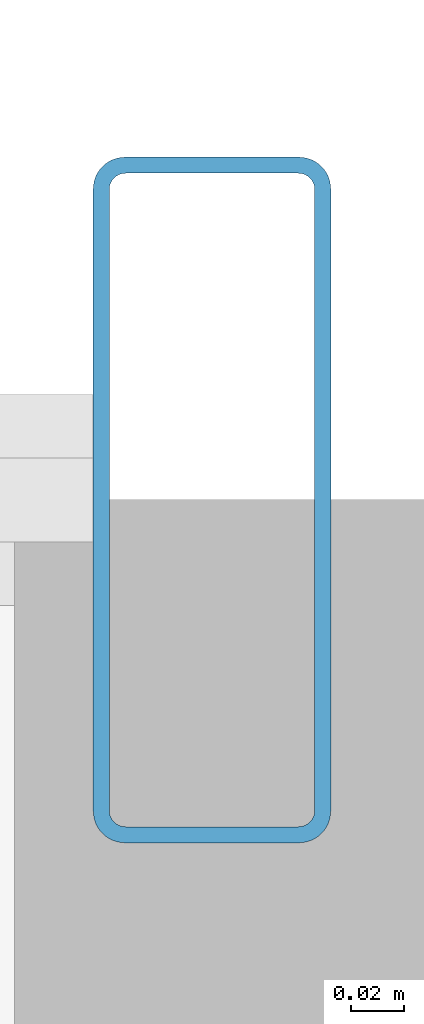
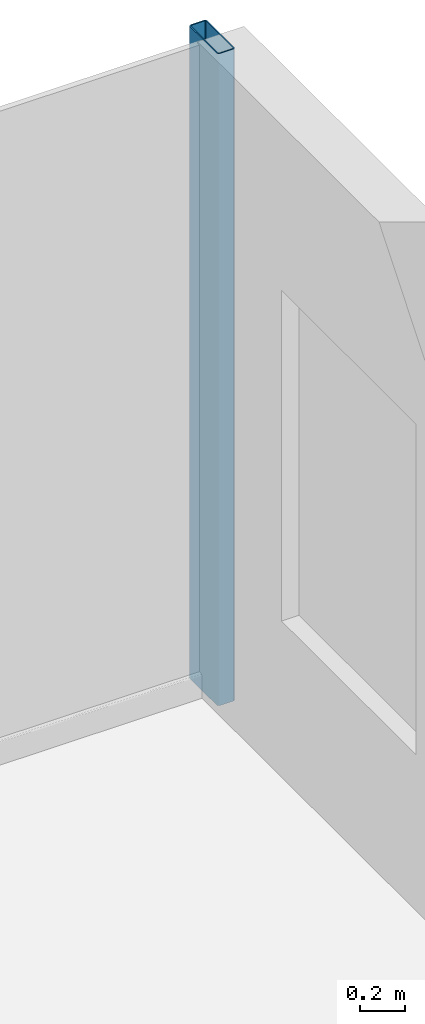
# One storey, part 17 of 29: 1 member, 1 element without a shape of its own.
"""IFC4 building model written with IfcOpenShell, lengths in metres."""

import ifcopenshell
import ifcopenshell.guid

model = None  # the IFC model being written
_history = None  # IfcOwnerHistory: only IFC2X3 demands one
_inside = {}  # id of a spatial element -> (the spatial element, [elements in it])
_under = {}  # id of a project, library or spatial element -> (it, [spatial elements below it])
_declared = {}  # id of a project -> (the project, [libraries it declares])
_typed = {}  # id of a type object -> (the type object, [elements of that type])
_made_of = {}  # id of a material, layer set ... -> (it, [elements and type objects made of it])


def new_model(schema):
    """Start an empty IFC model of exactly this schema.

    Asked for "IFC4X3", IfcOpenShell would pick the latest addendum, in which some entities
    have other attributes; the version numbers below select the first issue.
    IFC2X3 requires an IfcOwnerHistory on every rooted entity: one is made here for all.
    """
    global model, _history
    if schema == "IFC4X3":
        model = ifcopenshell.file(schema_version=(4, 3, 0, 0))
    else:
        model = ifcopenshell.file(schema=schema)
    _inside.clear()
    _under.clear()
    _declared.clear()
    _typed.clear()
    _made_of.clear()
    _history = None
    if model.schema == "IFC2X3":
        org = make("IfcOrganization", Name="unknown")
        user = make(
            "IfcPersonAndOrganization",
            ThePerson=make("IfcPerson", FamilyName="unknown"),
            TheOrganization=org,
        )
        app = make(
            "IfcApplication",
            ApplicationDeveloper=org,
            Version="unknown",
            ApplicationFullName="unknown",
            ApplicationIdentifier="unknown",
        )
        _history = make(
            "IfcOwnerHistory",
            OwningUser=user,
            OwningApplication=app,
            ChangeAction="ADDED",
            CreationDate=0,
        )
    return model


def make(cls, **values):
    """One entity of the class cls with the attributes given. An attribute that is None is left unset."""
    return model.create_entity(
        cls, **{name: value for name, value in values.items() if value is not None}
    )


def rooted(cls, **values):
    """An entity with a GlobalId (a new one), such as an element, a storey or a relation."""
    return make(cls, GlobalId=ifcopenshell.guid.new(), OwnerHistory=_history, **values)


def si_unit(unit_type, name, prefix=None):
    """IfcSIUnit, for example si_unit("LENGTHUNIT", "METRE", prefix="MILLI")."""
    return make("IfcSIUnit", UnitType=unit_type, Prefix=prefix, Name=name)


def assignment(units):
    """IfcUnitAssignment: the units of a project."""
    return None if units is None else make("IfcUnitAssignment", Units=units)


def point(xyz):
    """IfcCartesianPoint."""
    return None if xyz is None else make("IfcCartesianPoint", Coordinates=xyz)


def direction(xyz):
    """IfcDirection."""
    return None if xyz is None else make("IfcDirection", DirectionRatios=xyz)


def frame(location, z_axis=None, x_axis=None):
    """IfcAxis2Placement3D, a coordinate frame: its origin and axes. An axis left out is left unset."""
    return make(
        "IfcAxis2Placement3D",
        Location=point(location),
        Axis=direction(z_axis),
        RefDirection=direction(x_axis),
    )


def frame_2d(location, x_axis=None):
    """IfcAxis2Placement2D, a coordinate frame in the plane: its origin and x axis."""
    return make(
        "IfcAxis2Placement2D", Location=point(location), RefDirection=direction(x_axis)
    )


def origin():
    """The frame at (0, 0, 0) with its axes left unset."""
    return frame((0.0, 0.0, 0.0))


def origin_2d():
    """The frame at (0, 0) in the plane with its x axis left unset."""
    return frame_2d((0.0, 0.0))


def place(relative_to, where):
    """IfcLocalPlacement: puts the frame where relative to a parent placement (None: the world)."""
    return make(
        "IfcLocalPlacement", PlacementRelTo=relative_to, RelativePlacement=where
    )


def context(
    kind, dimensions, precision=None, world=None, true_north=None, identifier=None
):
    """IfcGeometricRepresentationContext, for example the 3D "Model" context."""
    return make(
        "IfcGeometricRepresentationContext",
        ContextIdentifier=identifier,
        ContextType=kind,
        CoordinateSpaceDimension=dimensions,
        Precision=precision,
        WorldCoordinateSystem=world,
        TrueNorth=true_north,
    )


def subcontext(parent, identifier, kind, view, scale=None):
    """IfcGeometricRepresentationSubContext, for example "Body" below "Model"."""
    return make(
        "IfcGeometricRepresentationSubContext",
        ContextIdentifier=identifier,
        ContextType=kind,
        ParentContext=parent,
        TargetScale=scale,
        TargetView=view,
    )


def project(units=None, contexts=None):
    """IfcProject with its units and contexts."""
    return rooted(
        "IfcProject",
        Name="project",
        RepresentationContexts=contexts,
        UnitsInContext=assignment(units),
    )


def spatial(cls, under=None, at=None, **own):
    """A site, building, storey or space (cls), placed at a placement, below another one or the project."""
    s = rooted(cls, ObjectPlacement=at, **own)
    if under is not None:
        _under.setdefault(under.id(), (under, []))[1].append(s)
    return s


def profile(cls, at=None, kind="AREA", **sizes):
    """A parametric profile (cls). Its sizes go by their IFC names, for example OverallWidth=200.0."""
    return make(cls, ProfileType=kind, Position=at, **sizes)


def hollow_rectangle(**sizes):
    """IfcRectangleHollowProfileDef."""
    return profile("IfcRectangleHollowProfileDef", **sizes)


def extrude(swept, where, along, depth):
    """IfcExtrudedAreaSolid: the profile swept, set in the frame where, extruded along a direction by depth."""
    return make(
        "IfcExtrudedAreaSolid",
        SweptArea=swept,
        Position=where,
        ExtrudedDirection=direction(along),
        Depth=depth,
    )


def shape(context_of_items, identifier, shape_type, items):
    """IfcShapeRepresentation: the items that make up one representation, for example the "Body"."""
    return make(
        "IfcShapeRepresentation",
        ContextOfItems=context_of_items,
        RepresentationIdentifier=identifier,
        RepresentationType=shape_type,
        Items=items,
    )


def source(mapping_origin, context_of_items, identifier, shape_type, items):
    """IfcRepresentationMap: a shape defined once, which mapped items show again and again."""
    return make(
        "IfcRepresentationMap",
        MappingOrigin=mapping_origin,
        MappedRepresentation=shape(context_of_items, identifier, shape_type, items),
    )


def transform(
    local_origin,
    x_axis=None,
    y_axis=None,
    z_axis=None,
    scale=None,
    scale2=None,
    scale3=None,
    uniform=True,
):
    """IfcCartesianTransformationOperator3D, or its non-uniform kind. x_axis, y_axis, z_axis: its Axis1, 2, 3."""
    if uniform:
        return make(
            "IfcCartesianTransformationOperator3D",
            Axis1=direction(x_axis),
            Axis2=direction(y_axis),
            LocalOrigin=point(local_origin),
            Scale=scale,
            Axis3=direction(z_axis),
        )
    return make(
        "IfcCartesianTransformationOperator3DnonUniform",
        Axis1=direction(x_axis),
        Axis2=direction(y_axis),
        LocalOrigin=point(local_origin),
        Scale=scale,
        Axis3=direction(z_axis),
        Scale2=scale2,
        Scale3=scale3,
    )


def mapped(mapping_source, mapping_target):
    """IfcMappedItem: shows the shape of a source again, moved by a transform."""
    return make(
        "IfcMappedItem", MappingSource=mapping_source, MappingTarget=mapping_target
    )


def material(Name=None, Category=None):
    """IfcMaterial."""
    return make("IfcMaterial", Name=Name, Category=Category)


def layer(
    of_material, thickness, ventilated=None, Name=None, Category=None, Priority=None
):
    """IfcMaterialLayer: one layer of a wall or slab, of a material (None: an air gap)."""
    return make(
        "IfcMaterialLayer",
        Material=of_material,
        LayerThickness=thickness,
        IsVentilated=ventilated,
        Name=Name,
        Category=Category,
        Priority=Priority,
    )


def layer_set(layers, Name=None):
    """IfcMaterialLayerSet."""
    return make("IfcMaterialLayerSet", MaterialLayers=layers, LayerSetName=Name)


def material_profile(
    of_material, cross_section, Name=None, Category=None, Priority=None
):
    """IfcMaterialProfile: a cross section and its material."""
    return make(
        "IfcMaterialProfile",
        Name=Name,
        Material=of_material,
        Profile=cross_section,
        Priority=Priority,
        Category=Category,
    )


def profile_set(profiles, Name=None, composite=None):
    """IfcMaterialProfileSet."""
    return make(
        "IfcMaterialProfileSet",
        Name=Name,
        MaterialProfiles=profiles,
        CompositeProfile=composite,
    )


def made_of(thing, what):
    """Note that an element or type object is made of a material, layer set ...; save() writes the relation."""
    if what is not None:
        _made_of.setdefault(what.id(), (what, []))[1].append(thing)
    return thing


def type_object(cls, material=None, **own):
    """A type object (cls), such as IfcWallType, which elements share."""
    return made_of(rooted(cls, **own), material)


def element(
    cls,
    number,
    at=None,
    inside=None,
    cuts=None,
    type_object=None,
    material=None,
    context=None,
    identifier="Body",
    shape_type=None,
    held_by="IfcProductDefinitionShape",
    body=None,
    shapes=None,
    **own,
):
    """One element of the class cls, such as IfcWall. Its Tag is "e" and its number.

    at: its placement. inside: the storey or other place that contains it. cuts: it is an
    opening in that element (IfcRelVoidsElement). A single representation is given by context,
    identifier, shape_type and body (its items); several are given by shapes. held_by: the class
    of the entity that holds the representations. save() writes the other relations.
    """
    e = rooted(cls, Tag="e%d" % number, ObjectPlacement=at, **own)
    if body is not None:
        shapes = [shape(context, identifier, shape_type, body)]
    if shapes is not None:
        e.Representation = make(held_by, Representations=shapes)
    if inside is not None:
        _inside.setdefault(inside.id(), (inside, []))[1].append(e)
    if cuts is not None:
        rooted(
            "IfcRelVoidsElement", RelatingBuildingElement=cuts, RelatedOpeningElement=e
        )
    if type_object is not None:
        _typed.setdefault(type_object.id(), (type_object, []))[1].append(e)
    return made_of(e, material)


def aggregate(whole, parts):
    """IfcRelAggregates: a whole, such as a stair, and the parts it consists of."""
    return rooted("IfcRelAggregates", RelatingObject=whole, RelatedObjects=parts)


def save(model, path):
    """Write the relations noted so far, then the file.

    IfcRelAggregates (storeys below a building ...), IfcRelContainedInSpatialStructure (elements
    in a storey), IfcRelDefinesByType, IfcRelAssociatesMaterial and IfcRelDeclares: one each for
    every whole, place, type object, material and project.
    """
    for whole, parts in _under.values():
        aggregate(whole, parts)
    for where, things in _inside.values():
        rooted(
            "IfcRelContainedInSpatialStructure",
            RelatedElements=things,
            RelatingStructure=where,
        )
    for kind, things in _typed.values():
        rooted("IfcRelDefinesByType", RelatedObjects=things, RelatingType=kind)
    for what, things in _made_of.values():
        rooted("IfcRelAssociatesMaterial", RelatedObjects=things, RelatingMaterial=what)
    for by, libraries in _declared.values():
        rooted("IfcRelDeclares", RelatingContext=by, RelatedDefinitions=libraries)
    model.write(path)


model = new_model("IFC4")

# Units and contexts
model_context = context("Model", 3, precision=1e-05, world=origin(), true_north=direction((0.0, 1.0)))
body_context = subcontext(model_context, "Body", "Model", "MODEL_VIEW")
ifc_project = project(units=[si_unit("LENGTHUNIT", "METRE"), si_unit("AREAUNIT", "SQUARE_METRE"), si_unit("VOLUMEUNIT", "CUBIC_METRE"), si_unit("PLANEANGLEUNIT", "RADIAN"), si_unit("MASSUNIT", "GRAM", prefix="KILO")], contexts=[model_context])

# Site, building, storey
site_placement = place(None, origin())
site = spatial("IfcSite", under=ifc_project, at=site_placement, CompositionType="ELEMENT")
building_placement = place(site_placement, origin())
building = spatial("IfcBuilding", under=site, at=building_placement, Name="Nefas-Gora Pilgrimage Tower", CompositionType="ELEMENT")
storey_placement = place(building_placement, frame((0.0, 0.0, 90.800048828125)))
storey = spatial("IfcBuildingStorey", under=building, at=storey_placement, Name="L21", CompositionType="ELEMENT", Elevation=90.800048828125)

# Curtain wall, member
ifc_material_1 = material(Name="Dark ceramic-fritted solar-control aluminium-glass curtain wall", Category="aluminium")
ifc_layer = layer(ifc_material_1, 0.219970703125)
ifc_layer_set = layer_set([ifc_layer], Name="Dark ceramic-fritted solar-control aluminium-glass curtain wall")
curtain_wall_type = type_object("IfcCurtainWallType", Name="CW-SYS-2", PredefinedType="NOTDEFINED", material=ifc_layer_set)
curtain_wall_placement = place(storey_placement, origin())
curtain_wall = element("IfcCurtainWall", 1, at=curtain_wall_placement, inside=storey, type_object=curtain_wall_type, Name="L21 Unitised Curtain Wall CW2", PredefinedType="NOTDEFINED")
ifc_material_2 = material(Name="Anodised architectural aluminium", Category="aluminium")
ifc_material_profile = material_profile(ifc_material_2, hollow_rectangle(XDim=0.090087890625, YDim=0.260009765625, WallThickness=0.006103515625, InnerFilletRadius=0.006103515625, OuterFilletRadius=0.011962890625, at=origin_2d()), Name="ALU MULLION 90x260")
ifc_profile_set = profile_set([ifc_material_profile], Name="Anodised architectural aluminium")
member_type = type_object("IfcMemberType", Name="CWM-MUL-2", PredefinedType="MULLION", material=ifc_profile_set)
shared_shape = source(origin(), body_context, "Body", "SweptSolid", [
    extrude(hollow_rectangle(XDim=0.090087890625, YDim=0.260009765625, WallThickness=0.006103515625, InnerFilletRadius=0.006103515625, OuterFilletRadius=0.011962890625, at=origin_2d()), origin(), (0.0, 0.0, 1.0), 3.550048828125),
])
member_placement = place(storey_placement, frame((28.824951171875, 23.02001953125, 0.0), z_axis=(0.0, 0.0, 1.0), x_axis=(-1.0, 0.0, 0.0)))
member = element("IfcMember", 2, at=member_placement, type_object=member_type, Name="CW2 Mullion 1", PredefinedType="MULLION", context=body_context, shape_type="MappedRepresentation", body=[
    mapped(shared_shape, transform((0.0, 0.0, 0.0), x_axis=(1.0, 0.0, 0.0), y_axis=(0.0, 1.0, 0.0), z_axis=(0.0, 0.0, 1.0), scale=1.0)),
])
aggregate(curtain_wall, [member])

save(model, "model.ifc")
